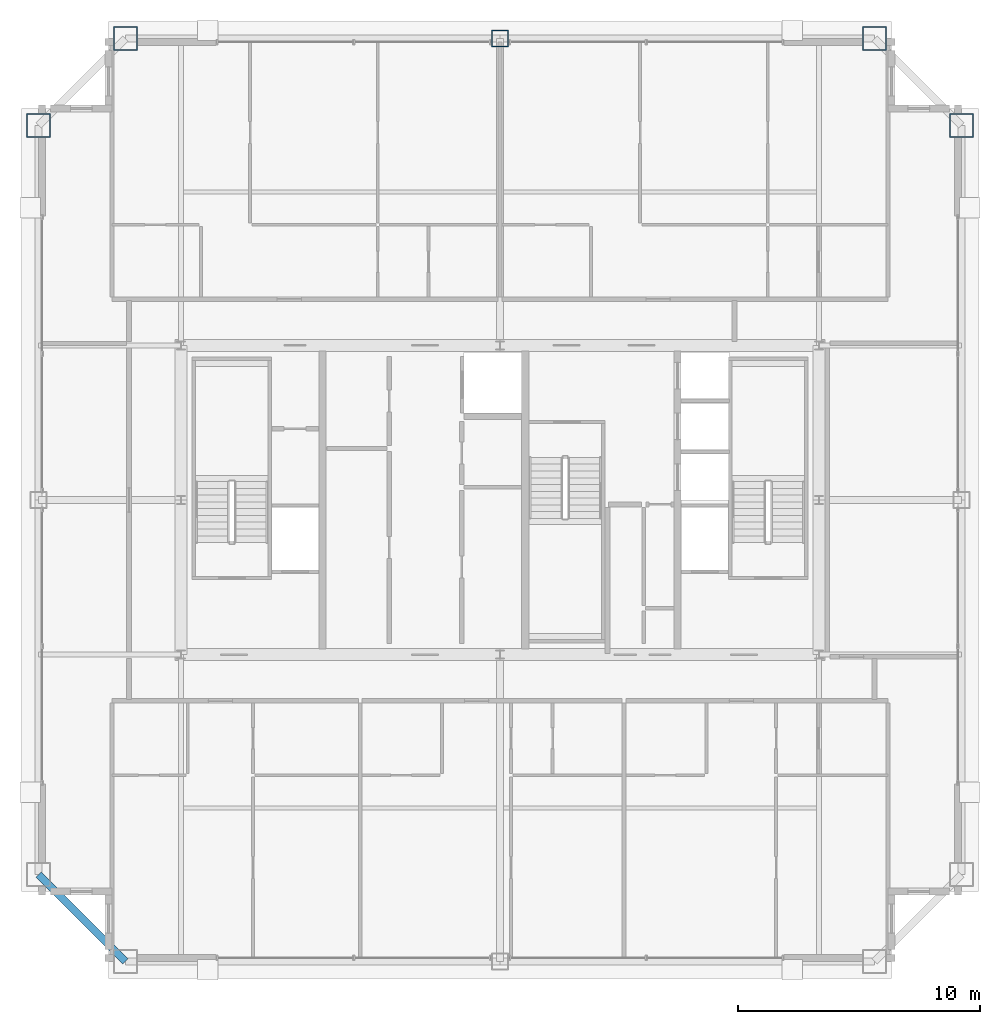
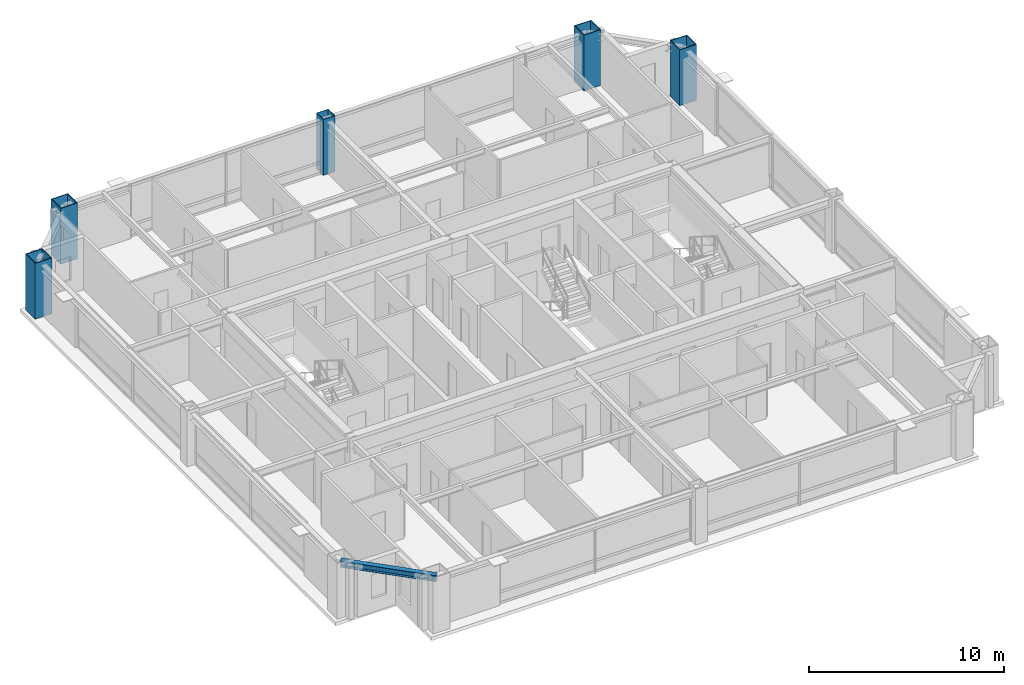
# One storey, part 3 of 35: 5 columns, 1 beam.
"""IFC4 building model written with IfcOpenShell, lengths in metres."""

from ifc_helpers import new_model, si_unit, direction, frame, origin, origin_2d, place, context, subcontext, project, spatial, hollow_rectangle, i_section, extrude, source, transform, mapped, material, material_profile, profile_set, type_object, element, save


model = new_model("IFC4")

# Units and contexts
model_context = context("Model", 3, precision=1e-05, world=origin(), true_north=direction((0.0, 1.0)))
body_context = subcontext(model_context, "Body", "Model", "MODEL_VIEW")
ifc_project = project(units=[si_unit("LENGTHUNIT", "METRE"), si_unit("AREAUNIT", "SQUARE_METRE"), si_unit("VOLUMEUNIT", "CUBIC_METRE"), si_unit("PLANEANGLEUNIT", "RADIAN"), si_unit("MASSUNIT", "GRAM", prefix="KILO"), si_unit("THERMODYNAMICTEMPERATUREUNIT", "KELVIN"), si_unit("POWERUNIT", "WATT")], contexts=[model_context])

# Site, building, storey
site_placement = place(None, origin())
site = spatial("IfcSite", under=ifc_project, at=site_placement, CompositionType="ELEMENT")
building_placement = place(site_placement, origin())
building = spatial("IfcBuilding", under=site, at=building_placement, Name="Yuzanri Waterfront Tower", CompositionType="ELEMENT")
storey_placement = place(building_placement, frame((0.0, 0.0, 318.199951171875)))
storey = spatial("IfcBuildingStorey", under=building, at=storey_placement, Name="L85", CompositionType="ELEMENT", Elevation=318.199951171875)

# Columns
ifc_material_1 = material(Name="Steel Q355B", Category="steel")
ifc_material_profile_1 = material_profile(ifc_material_1, hollow_rectangle(XDim=0.699951171875, YDim=0.699951171875, WallThickness=0.031982421875, at=origin_2d()), Name="RHS 700x700x32")
ifc_profile_set_1 = profile_set([ifc_material_profile_1], Name="Steel Q355B")
column_type_1 = type_object("IfcColumnType", Name="Frame Column Q355B RHS 700x700x32", PredefinedType="COLUMN", material=ifc_profile_set_1)
shared_shape_1 = source(origin(), body_context, "Body", "SweptSolid", [
    extrude(hollow_rectangle(XDim=0.699951171875, YDim=0.699951171875, WallThickness=0.031982421875, at=origin_2d()), origin(), (0.0, 0.0, 1.0), 3.5),
])
column_placement = place(storey_placement, frame((37.0, 44.89990234375, 0.0), z_axis=(0.0, 0.0, 1.0), x_axis=(1.0, 0.0, 0.0)))
element("IfcColumn", 1, at=column_placement, inside=storey, type_object=column_type_1, Name="L85 Perimeter Frame Column N2", PredefinedType="COLUMN", context=body_context, shape_type="MappedRepresentation", body=[
    mapped(shared_shape_1, transform((0.0, 0.0, 0.0), scale=1.0)),
])
ifc_material_2 = material(Name="Steel Q390GJC", Category="steel")
ifc_material_profile_2 = material_profile(ifc_material_2, hollow_rectangle(XDim=1.0, YDim=1.0, WallThickness=0.048095703125, at=origin_2d()), Name="RHS 1000x1000x48")
ifc_profile_set_2 = profile_set([ifc_material_profile_2], Name="Steel Q390GJC")
column_type_2 = type_object("IfcColumnType", Name="Mega Column Q390GJC RHS 1000x1000x48", PredefinedType="COLUMN", material=ifc_profile_set_2)
shared_shape_2 = source(origin(), body_context, "Body", "SweptSolid", [
    extrude(hollow_rectangle(XDim=1.0, YDim=1.0, WallThickness=0.048095703125, at=origin_2d()), origin(), (0.0, 0.0, 1.0), 3.5),
])
for number, where, z_axis, x_axis, name in (
    (2, (21.5, 44.89990234375, 0.0), (0.0, 0.0, 1.0), (1.0, 0.0, 0.0), "L85 Perimeter Mega Column N1"),
    (3, (52.5, 44.89990234375, 0.0), (0.0, 0.0, 1.0), (1.0, 0.0, 0.0), "L85 Perimeter Mega Column N3"),
    (4, (17.89990234375, 41.300048828125, 0.0), (0.0, 0.0, 1.0), (1.0, 0.0, 0.0), "L85 Perimeter Mega Column W3"),
    (5, (56.10009765625, 41.300048828125, 0.0), (0.0, 0.0, 1.0), (1.0, 0.0, 0.0), "L85 Perimeter Mega Column E3"),
):
    element("IfcColumn", number, at=place(storey_placement, frame(where, z_axis=z_axis, x_axis=x_axis)), inside=storey, type_object=column_type_2, Name=name, PredefinedType="COLUMN", context=body_context, shape_type="MappedRepresentation", body=[
        mapped(shared_shape_2, transform((0.0, 0.0, 0.0), scale=1.0)),
    ])

# Beam
ifc_material_3 = material(Name="Steel Q355B", Category="steel")
ifc_material_profile_3 = material_profile(ifc_material_3, i_section(OverallWidth=0.300048828125, OverallDepth=0.389892578125, WebThickness=0.010009765625, FlangeThickness=0.01611328125, at=origin_2d()), Name="HM 390x300x10x16")
ifc_profile_set_3 = profile_set([ifc_material_profile_3], Name="Steel Q355B")
beam_type = type_object("IfcBeamType", Name="Perimeter Spandrel Q355B HM 390x300", PredefinedType="SPANDREL", material=ifc_profile_set_3)
shared_shape_3 = source(origin(), body_context, "Body", "SweptSolid", [
    extrude(i_section(OverallWidth=0.300048828125, OverallDepth=0.389892578125, WebThickness=0.010009765625, FlangeThickness=0.01611328125, at=origin_2d()), origin(), (0.0, 0.0, 1.0), 5.09130859375),
])
beam_placement = place(storey_placement, frame((17.89990234375, 10.300048828125, 3.0849609375), z_axis=(0.707106781187, -0.707106781187, 0.0), x_axis=(0.707106781187, 0.707106781187, 0.0)))
element("IfcBeam", 6, at=beam_placement, inside=storey, type_object=beam_type, Name="L85 Perimeter Spandrel W1-S1", PredefinedType="SPANDREL", context=body_context, shape_type="MappedRepresentation", body=[
    mapped(shared_shape_3, transform((0.0, 0.0, 0.0), scale=1.0)),
])

save(model, "model.ifc")
